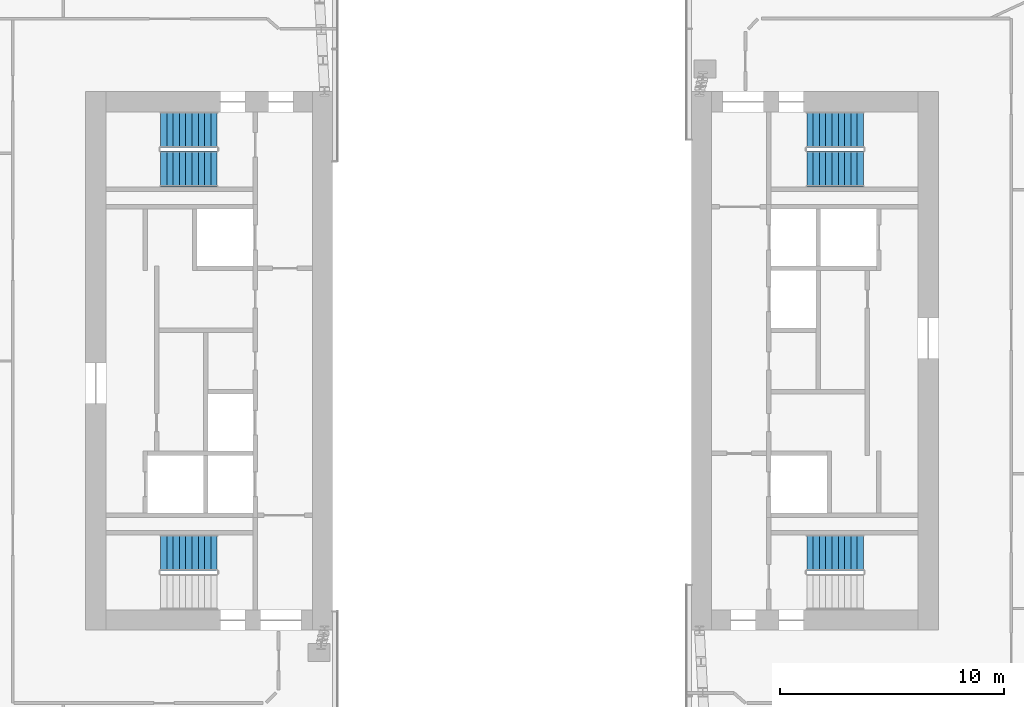
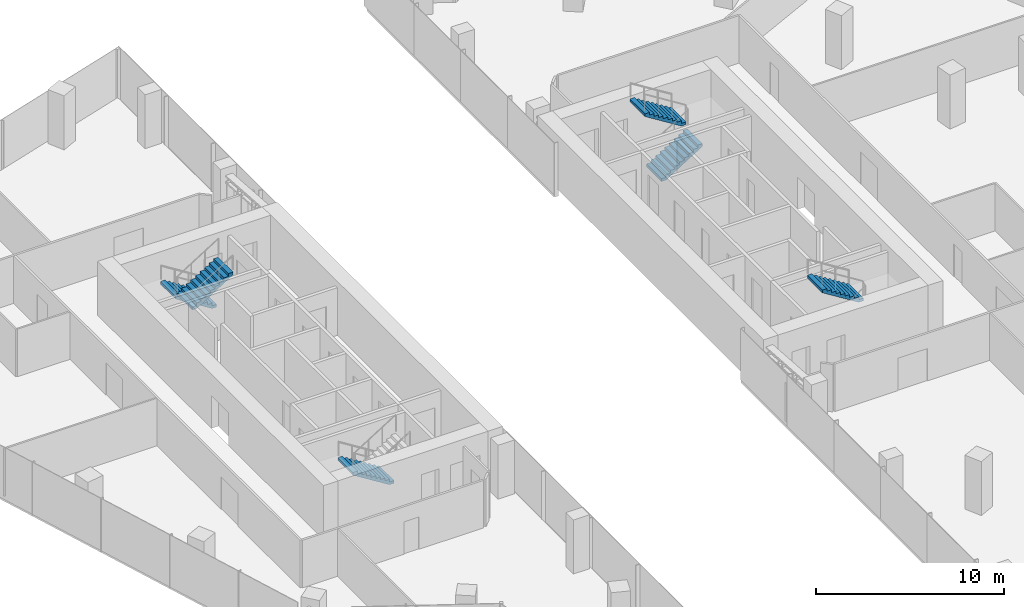
# One storey, part 21 of 23: 6 stair flights, 4 elements without a shape of their own.
"""IFC4 building model written with IfcOpenShell, lengths in metres."""

import ifcopenshell
import ifcopenshell.guid

model = None  # the IFC model being written
_history = None  # IfcOwnerHistory: only IFC2X3 demands one
_inside = {}  # id of a spatial element -> (the spatial element, [elements in it])
_under = {}  # id of a project, library or spatial element -> (it, [spatial elements below it])
_declared = {}  # id of a project -> (the project, [libraries it declares])
_typed = {}  # id of a type object -> (the type object, [elements of that type])
_made_of = {}  # id of a material, layer set ... -> (it, [elements and type objects made of it])


def new_model(schema):
    """Start an empty IFC model of exactly this schema.

    Asked for "IFC4X3", IfcOpenShell would pick the latest addendum, in which some entities
    have other attributes; the version numbers below select the first issue.
    IFC2X3 requires an IfcOwnerHistory on every rooted entity: one is made here for all.
    """
    global model, _history
    if schema == "IFC4X3":
        model = ifcopenshell.file(schema_version=(4, 3, 0, 0))
    else:
        model = ifcopenshell.file(schema=schema)
    _inside.clear()
    _under.clear()
    _declared.clear()
    _typed.clear()
    _made_of.clear()
    _history = None
    if model.schema == "IFC2X3":
        org = make("IfcOrganization", Name="unknown")
        user = make(
            "IfcPersonAndOrganization",
            ThePerson=make("IfcPerson", FamilyName="unknown"),
            TheOrganization=org,
        )
        app = make(
            "IfcApplication",
            ApplicationDeveloper=org,
            Version="unknown",
            ApplicationFullName="unknown",
            ApplicationIdentifier="unknown",
        )
        _history = make(
            "IfcOwnerHistory",
            OwningUser=user,
            OwningApplication=app,
            ChangeAction="ADDED",
            CreationDate=0,
        )
    return model


def make(cls, **values):
    """One entity of the class cls with the attributes given. An attribute that is None is left unset."""
    return model.create_entity(
        cls, **{name: value for name, value in values.items() if value is not None}
    )


def rooted(cls, **values):
    """An entity with a GlobalId (a new one), such as an element, a storey or a relation."""
    return make(cls, GlobalId=ifcopenshell.guid.new(), OwnerHistory=_history, **values)


def si_unit(unit_type, name, prefix=None):
    """IfcSIUnit, for example si_unit("LENGTHUNIT", "METRE", prefix="MILLI")."""
    return make("IfcSIUnit", UnitType=unit_type, Prefix=prefix, Name=name)


def assignment(units):
    """IfcUnitAssignment: the units of a project."""
    return None if units is None else make("IfcUnitAssignment", Units=units)


def point(xyz):
    """IfcCartesianPoint."""
    return None if xyz is None else make("IfcCartesianPoint", Coordinates=xyz)


def direction(xyz):
    """IfcDirection."""
    return None if xyz is None else make("IfcDirection", DirectionRatios=xyz)


def frame(location, z_axis=None, x_axis=None):
    """IfcAxis2Placement3D, a coordinate frame: its origin and axes. An axis left out is left unset."""
    return make(
        "IfcAxis2Placement3D",
        Location=point(location),
        Axis=direction(z_axis),
        RefDirection=direction(x_axis),
    )


def origin():
    """The frame at (0, 0, 0) with its axes left unset."""
    return frame((0.0, 0.0, 0.0))


def place(relative_to, where):
    """IfcLocalPlacement: puts the frame where relative to a parent placement (None: the world)."""
    return make(
        "IfcLocalPlacement", PlacementRelTo=relative_to, RelativePlacement=where
    )


def context(
    kind, dimensions, precision=None, world=None, true_north=None, identifier=None
):
    """IfcGeometricRepresentationContext, for example the 3D "Model" context."""
    return make(
        "IfcGeometricRepresentationContext",
        ContextIdentifier=identifier,
        ContextType=kind,
        CoordinateSpaceDimension=dimensions,
        Precision=precision,
        WorldCoordinateSystem=world,
        TrueNorth=true_north,
    )


def subcontext(parent, identifier, kind, view, scale=None):
    """IfcGeometricRepresentationSubContext, for example "Body" below "Model"."""
    return make(
        "IfcGeometricRepresentationSubContext",
        ContextIdentifier=identifier,
        ContextType=kind,
        ParentContext=parent,
        TargetScale=scale,
        TargetView=view,
    )


def project(units=None, contexts=None):
    """IfcProject with its units and contexts."""
    return rooted(
        "IfcProject",
        Name="project",
        RepresentationContexts=contexts,
        UnitsInContext=assignment(units),
    )


def spatial(cls, under=None, at=None, **own):
    """A site, building, storey or space (cls), placed at a placement, below another one or the project."""
    s = rooted(cls, ObjectPlacement=at, **own)
    if under is not None:
        _under.setdefault(under.id(), (under, []))[1].append(s)
    return s


def polyline(points):
    """IfcPolyline through the points."""
    return make("IfcPolyline", Points=[point(p) for p in points])


def outline(outer, holes=None, kind="AREA"):
    """IfcArbitraryClosedProfileDef: a profile drawn as a closed curve; with holes, ...WithVoids."""
    if holes is None:
        return make("IfcArbitraryClosedProfileDef", ProfileType=kind, OuterCurve=outer)
    return make(
        "IfcArbitraryProfileDefWithVoids",
        ProfileType=kind,
        OuterCurve=outer,
        InnerCurves=holes,
    )


def extrude(swept, where, along, depth):
    """IfcExtrudedAreaSolid: the profile swept, set in the frame where, extruded along a direction by depth."""
    return make(
        "IfcExtrudedAreaSolid",
        SweptArea=swept,
        Position=where,
        ExtrudedDirection=direction(along),
        Depth=depth,
    )


def shape(context_of_items, identifier, shape_type, items):
    """IfcShapeRepresentation: the items that make up one representation, for example the "Body"."""
    return make(
        "IfcShapeRepresentation",
        ContextOfItems=context_of_items,
        RepresentationIdentifier=identifier,
        RepresentationType=shape_type,
        Items=items,
    )


def material(Name=None, Category=None):
    """IfcMaterial."""
    return make("IfcMaterial", Name=Name, Category=Category)


def made_of(thing, what):
    """Note that an element or type object is made of a material, layer set ...; save() writes the relation."""
    if what is not None:
        _made_of.setdefault(what.id(), (what, []))[1].append(thing)
    return thing


def type_object(cls, material=None, **own):
    """A type object (cls), such as IfcWallType, which elements share."""
    return made_of(rooted(cls, **own), material)


def element(
    cls,
    number,
    at=None,
    inside=None,
    cuts=None,
    type_object=None,
    material=None,
    context=None,
    identifier="Body",
    shape_type=None,
    held_by="IfcProductDefinitionShape",
    body=None,
    shapes=None,
    **own,
):
    """One element of the class cls, such as IfcWall. Its Tag is "e" and its number.

    at: its placement. inside: the storey or other place that contains it. cuts: it is an
    opening in that element (IfcRelVoidsElement). A single representation is given by context,
    identifier, shape_type and body (its items); several are given by shapes. held_by: the class
    of the entity that holds the representations. save() writes the other relations.
    """
    e = rooted(cls, Tag="e%d" % number, ObjectPlacement=at, **own)
    if body is not None:
        shapes = [shape(context, identifier, shape_type, body)]
    if shapes is not None:
        e.Representation = make(held_by, Representations=shapes)
    if inside is not None:
        _inside.setdefault(inside.id(), (inside, []))[1].append(e)
    if cuts is not None:
        rooted(
            "IfcRelVoidsElement", RelatingBuildingElement=cuts, RelatedOpeningElement=e
        )
    if type_object is not None:
        _typed.setdefault(type_object.id(), (type_object, []))[1].append(e)
    return made_of(e, material)


def aggregate(whole, parts):
    """IfcRelAggregates: a whole, such as a stair, and the parts it consists of."""
    return rooted("IfcRelAggregates", RelatingObject=whole, RelatedObjects=parts)


def save(model, path):
    """Write the relations noted so far, then the file.

    IfcRelAggregates (storeys below a building ...), IfcRelContainedInSpatialStructure (elements
    in a storey), IfcRelDefinesByType, IfcRelAssociatesMaterial and IfcRelDeclares: one each for
    every whole, place, type object, material and project.
    """
    for whole, parts in _under.values():
        aggregate(whole, parts)
    for where, things in _inside.values():
        rooted(
            "IfcRelContainedInSpatialStructure",
            RelatedElements=things,
            RelatingStructure=where,
        )
    for kind, things in _typed.values():
        rooted("IfcRelDefinesByType", RelatedObjects=things, RelatingType=kind)
    for what, things in _made_of.values():
        rooted("IfcRelAssociatesMaterial", RelatedObjects=things, RelatingMaterial=what)
    for by, libraries in _declared.values():
        rooted("IfcRelDeclares", RelatingContext=by, RelatedDefinitions=libraries)
    model.write(path)


model = new_model("IFC4")

# Units and contexts
model_context = context("Model", 3, precision=1e-05, world=origin(), true_north=direction((0.0, 1.0)))
body_context = subcontext(model_context, "Body", "Model", "MODEL_VIEW")
ifc_project = project(units=[si_unit("LENGTHUNIT", "METRE"), si_unit("AREAUNIT", "SQUARE_METRE"), si_unit("VOLUMEUNIT", "CUBIC_METRE"), si_unit("PLANEANGLEUNIT", "RADIAN"), si_unit("MASSUNIT", "GRAM", prefix="KILO")], contexts=[model_context])

# Site, building, storey
site_placement = place(None, origin())
site = spatial("IfcSite", under=ifc_project, at=site_placement, CompositionType="ELEMENT")
building_placement = place(site_placement, origin())
building = spatial("IfcBuilding", under=site, at=building_placement, Name="Orlundy Tower", CompositionType="ELEMENT")
storey_placement = place(building_placement, frame((0.0, 0.0, 260.5)))
storey = spatial("IfcBuildingStorey", under=building, at=storey_placement, Name="L69", CompositionType="ELEMENT", Elevation=260.5)

# Stair, stair flights
ifc_material_1 = material(Name="Concrete C50/60", Category="concrete")
stair_type = type_object("IfcStairType", Name="Exit Stair 20 risers", PredefinedType="HALF_TURN_STAIR", material=ifc_material_1)
stair_1_placement = place(storey_placement, origin())
stair_1 = element("IfcStair", 1, at=stair_1_placement, inside=storey, type_object=stair_type, Name="L69 Exit Stair ST-W1", PredefinedType="HALF_TURN_STAIR")
ifc_material_2 = material(Name="Concrete C50/60", Category="concrete")
stair_flight_type = type_object("IfcStairFlightType", Name="Stair Flight 10 risers", PredefinedType="STRAIGHT", material=ifc_material_2)
stair_flight_1_placement = place(storey_placement, frame((-13.139892578125, 10.300048828125, 0.0), z_axis=(0.0, 0.0, 1.0), x_axis=(-1.0, 0.0, 0.0)))
stair_flight_1 = element("IfcStairFlight", 2, at=stair_flight_1_placement, type_object=stair_flight_type, Name="ST-W1 flight 1", NumberOfRisers=10, NumberOfTreads=9, PredefinedType="STRAIGHT", RiserHeight=0.175, TreadLength=0.28, context=body_context, shape_type="SweptSolid", body=[
    extrude(outline(polyline([(0.0, 0.0), (0.0, 0.175048828125), (0.280029296875, 0.175048828125), (0.280029296875, 0.35009765625), (0.56005859375, 0.35009765625), (0.56005859375, 0.52490234375), (0.840087890625, 0.52490234375), (0.840087890625, 0.699951171875), (1.1201171875, 0.699951171875), (1.1201171875, 0.875), (1.39990234375, 0.875), (1.39990234375, 1.050048828125), (1.679931640625, 1.050048828125), (1.679931640625, 1.22509765625), (1.9599609375, 1.22509765625), (1.9599609375, 1.39990234375), (2.239990234375, 1.39990234375), (2.239990234375, 1.574951171875), (2.52001953125, 1.574951171875), (2.52001953125, 1.75), (2.52001953125, 1.398193359375), (0.28271484375, 0.0), (0.0, 0.0)])), frame((0.0, 0.800048828125, 0.0), z_axis=(0.0, -1.0, 0.0), x_axis=(1.0, 0.0, 0.0)), (0.0, 0.0, 1.0), 1.60009765625),
])
stair_flight_2_placement = place(storey_placement, frame((-15.659912109375, 8.550048828125, 1.75), z_axis=(0.0, 0.0, 1.0), x_axis=(1.0, 0.0, 0.0)))
stair_flight_2 = element("IfcStairFlight", 3, at=stair_flight_2_placement, type_object=stair_flight_type, Name="ST-W1 flight 2", NumberOfRisers=10, NumberOfTreads=9, PredefinedType="STRAIGHT", RiserHeight=0.175, TreadLength=0.28, context=body_context, shape_type="SweptSolid", body=[
    extrude(outline(polyline([(0.0, 0.0), (0.0, 0.175048828125), (0.280029296875, 0.175048828125), (0.280029296875, 0.35009765625), (0.56005859375, 0.35009765625), (0.56005859375, 0.52490234375), (0.840087890625, 0.52490234375), (0.840087890625, 0.699951171875), (1.1201171875, 0.699951171875), (1.1201171875, 0.875), (1.39990234375, 0.875), (1.39990234375, 1.050048828125), (1.679931640625, 1.050048828125), (1.679931640625, 1.22509765625), (1.9599609375, 1.22509765625), (1.9599609375, 1.39990234375), (2.239990234375, 1.39990234375), (2.239990234375, 1.574951171875), (2.52001953125, 1.574951171875), (2.52001953125, 1.75), (2.52001953125, 1.398193359375), (0.28271484375, 0.0), (0.0, 0.0)])), frame((0.0, 0.800048828125, 0.0), z_axis=(0.0, -1.0, 0.0), x_axis=(1.0, 0.0, 0.0)), (0.0, 0.0, 1.0), 1.60009765625),
])
aggregate(stair_1, [stair_flight_1, stair_flight_2])

# Stair, stair flight
stair_2_placement = place(storey_placement, origin())
stair_2 = element("IfcStair", 4, at=stair_2_placement, inside=storey, type_object=stair_type, Name="L69 Exit Stair ST-W2", PredefinedType="HALF_TURN_STAIR")
stair_flight_3_placement = place(storey_placement, frame((-13.139892578125, -8.550048828125, 0.0), z_axis=(0.0, 0.0, 1.0), x_axis=(-1.0, 0.0, 0.0)))
stair_flight_3 = element("IfcStairFlight", 5, at=stair_flight_3_placement, type_object=stair_flight_type, Name="ST-W2 flight 1", NumberOfRisers=10, NumberOfTreads=9, PredefinedType="STRAIGHT", RiserHeight=0.175, TreadLength=0.28, context=body_context, shape_type="SweptSolid", body=[
    extrude(outline(polyline([(0.0, 0.0), (0.0, 0.175048828125), (0.280029296875, 0.175048828125), (0.280029296875, 0.35009765625), (0.56005859375, 0.35009765625), (0.56005859375, 0.52490234375), (0.840087890625, 0.52490234375), (0.840087890625, 0.699951171875), (1.1201171875, 0.699951171875), (1.1201171875, 0.875), (1.39990234375, 0.875), (1.39990234375, 1.050048828125), (1.679931640625, 1.050048828125), (1.679931640625, 1.22509765625), (1.9599609375, 1.22509765625), (1.9599609375, 1.39990234375), (2.239990234375, 1.39990234375), (2.239990234375, 1.574951171875), (2.52001953125, 1.574951171875), (2.52001953125, 1.75), (2.52001953125, 1.398193359375), (0.28271484375, 0.0), (0.0, 0.0)])), frame((0.0, 0.800048828125, 0.0), z_axis=(0.0, -1.0, 0.0), x_axis=(1.0, 0.0, 0.0)), (0.0, 0.0, 1.0), 1.60009765625),
])
aggregate(stair_2, [stair_flight_3])

stair_3_placement = place(storey_placement, origin())
stair_3 = element("IfcStair", 6, at=stair_3_placement, inside=storey, type_object=stair_type, Name="L69 Exit Stair ST-E1", PredefinedType="HALF_TURN_STAIR")
stair_flight_4_placement = place(storey_placement, frame((15.659912109375, -8.550048828125, 1.75), z_axis=(0.0, 0.0, 1.0), x_axis=(-1.0, 0.0, 0.0)))
stair_flight_4 = element("IfcStairFlight", 7, at=stair_flight_4_placement, type_object=stair_flight_type, Name="ST-E1 flight 2", NumberOfRisers=10, NumberOfTreads=9, PredefinedType="STRAIGHT", RiserHeight=0.175, TreadLength=0.28, context=body_context, shape_type="SweptSolid", body=[
    extrude(outline(polyline([(0.0, 0.0), (0.0, 0.175048828125), (0.280029296875, 0.175048828125), (0.280029296875, 0.35009765625), (0.56005859375, 0.35009765625), (0.56005859375, 0.52490234375), (0.840087890625, 0.52490234375), (0.840087890625, 0.699951171875), (1.1201171875, 0.699951171875), (1.1201171875, 0.875), (1.39990234375, 0.875), (1.39990234375, 1.050048828125), (1.679931640625, 1.050048828125), (1.679931640625, 1.22509765625), (1.9599609375, 1.22509765625), (1.9599609375, 1.39990234375), (2.239990234375, 1.39990234375), (2.239990234375, 1.574951171875), (2.52001953125, 1.574951171875), (2.52001953125, 1.75), (2.52001953125, 1.398193359375), (0.28271484375, 0.0), (0.0, 0.0)])), frame((0.0, 0.800048828125, 0.0), z_axis=(0.0, -1.0, 0.0), x_axis=(1.0, 0.0, 0.0)), (0.0, 0.0, 1.0), 1.60009765625),
])
aggregate(stair_3, [stair_flight_4])

# Stair, stair flights
stair_4_placement = place(storey_placement, origin())
stair_4 = element("IfcStair", 8, at=stair_4_placement, inside=storey, type_object=stair_type, Name="L69 Exit Stair ST-E2", PredefinedType="HALF_TURN_STAIR")
stair_flight_5_placement = place(storey_placement, frame((13.139892578125, 8.550048828125, 0.0), z_axis=(0.0, 0.0, 1.0), x_axis=(1.0, 0.0, 0.0)))
stair_flight_5 = element("IfcStairFlight", 9, at=stair_flight_5_placement, type_object=stair_flight_type, Name="ST-E2 flight 1", NumberOfRisers=10, NumberOfTreads=9, PredefinedType="STRAIGHT", RiserHeight=0.175, TreadLength=0.28, context=body_context, shape_type="SweptSolid", body=[
    extrude(outline(polyline([(0.0, 0.0), (0.0, 0.175048828125), (0.280029296875, 0.175048828125), (0.280029296875, 0.35009765625), (0.56005859375, 0.35009765625), (0.56005859375, 0.52490234375), (0.840087890625, 0.52490234375), (0.840087890625, 0.699951171875), (1.1201171875, 0.699951171875), (1.1201171875, 0.875), (1.39990234375, 0.875), (1.39990234375, 1.050048828125), (1.679931640625, 1.050048828125), (1.679931640625, 1.22509765625), (1.9599609375, 1.22509765625), (1.9599609375, 1.39990234375), (2.239990234375, 1.39990234375), (2.239990234375, 1.574951171875), (2.52001953125, 1.574951171875), (2.52001953125, 1.75), (2.52001953125, 1.398193359375), (0.28271484375, 0.0), (0.0, 0.0)])), frame((0.0, 0.800048828125, 0.0), z_axis=(0.0, -1.0, 0.0), x_axis=(1.0, 0.0, 0.0)), (0.0, 0.0, 1.0), 1.60009765625),
])
stair_flight_6_placement = place(storey_placement, frame((15.659912109375, 10.300048828125, 1.75), z_axis=(0.0, 0.0, 1.0), x_axis=(-1.0, 0.0, 0.0)))
stair_flight_6 = element("IfcStairFlight", 10, at=stair_flight_6_placement, type_object=stair_flight_type, Name="ST-E2 flight 2", NumberOfRisers=10, NumberOfTreads=9, PredefinedType="STRAIGHT", RiserHeight=0.175, TreadLength=0.28, context=body_context, shape_type="SweptSolid", body=[
    extrude(outline(polyline([(0.0, 0.0), (0.0, 0.175048828125), (0.280029296875, 0.175048828125), (0.280029296875, 0.35009765625), (0.56005859375, 0.35009765625), (0.56005859375, 0.52490234375), (0.840087890625, 0.52490234375), (0.840087890625, 0.699951171875), (1.1201171875, 0.699951171875), (1.1201171875, 0.875), (1.39990234375, 0.875), (1.39990234375, 1.050048828125), (1.679931640625, 1.050048828125), (1.679931640625, 1.22509765625), (1.9599609375, 1.22509765625), (1.9599609375, 1.39990234375), (2.239990234375, 1.39990234375), (2.239990234375, 1.574951171875), (2.52001953125, 1.574951171875), (2.52001953125, 1.75), (2.52001953125, 1.398193359375), (0.28271484375, 0.0), (0.0, 0.0)])), frame((0.0, 0.800048828125, 0.0), z_axis=(0.0, -1.0, 0.0), x_axis=(1.0, 0.0, 0.0)), (0.0, 0.0, 1.0), 1.60009765625),
])
aggregate(stair_4, [stair_flight_5, stair_flight_6])

save(model, "model.ifc")
